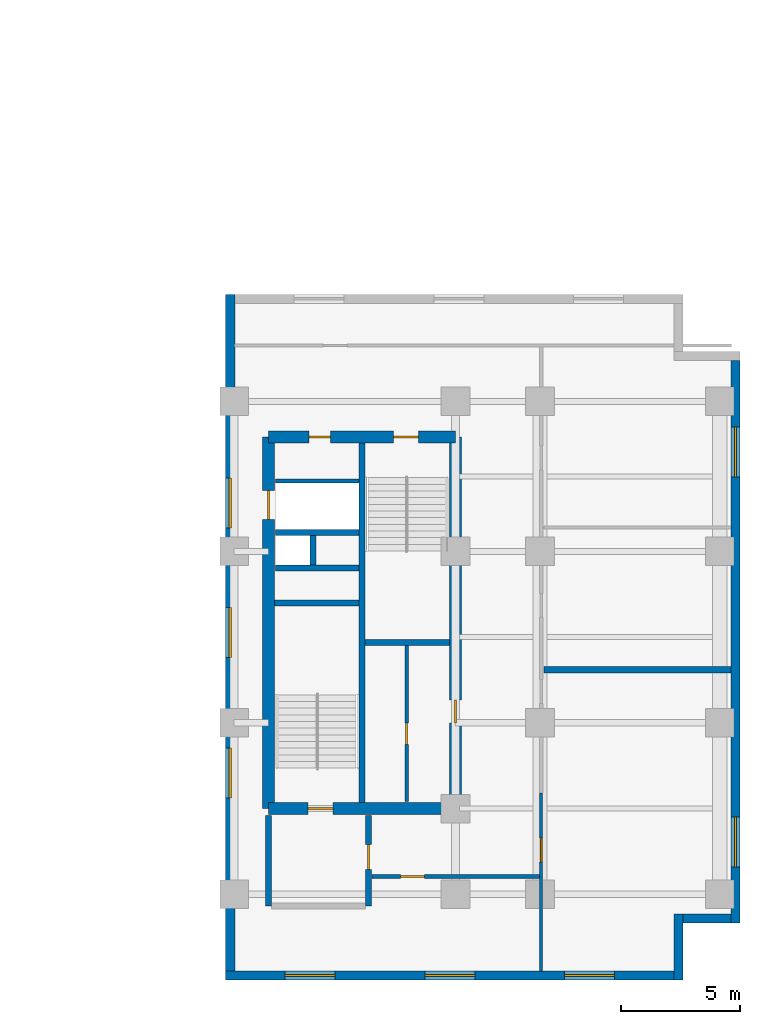
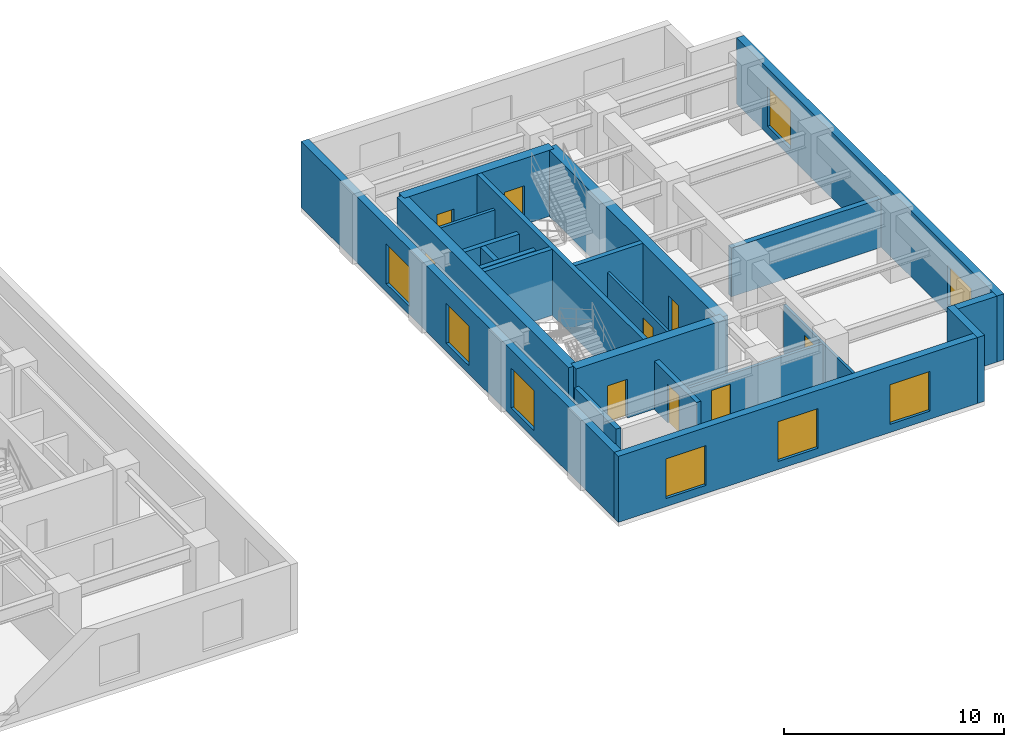
# One storey, part 4 of 9: 22 walls, 9 doors, 8 windows, 17 openings.
"""IFC4 building model written with IfcOpenShell, lengths in metres."""

from ifc_helpers import new_model, entity, si_unit, converted_unit, direction, frame, origin_with_axes, origin_2d_with_axis, place, context, subcontext, project, spatial, polyline, rectangle, outline, extrude, material, layer, layer_set, type_object, element, fill, save


model = new_model("IFC4")

# Units and contexts
model_context = context("Model", 3, precision=1e-05, world=origin_with_axes(), true_north=direction((0.0, 1.0)))
body_context = subcontext(model_context, "Body", "Model", "MODEL_VIEW")
ifc_project = project(units=[si_unit("LENGTHUNIT", "METRE"), si_unit("AREAUNIT", "SQUARE_METRE"), si_unit("VOLUMEUNIT", "CUBIC_METRE"), converted_unit("PLANEANGLEUNIT", "DEGREE", entity("IfcPlaneAngleMeasure", 0.017453292519943295), si_unit("PLANEANGLEUNIT", "RADIAN"), dimensions=[0, 0, 0, 0, 0, 0, 0]), si_unit("MASSUNIT", "GRAM", prefix="KILO"), si_unit("THERMODYNAMICTEMPERATUREUNIT", "KELVIN")], contexts=[model_context])

# Site, building, storey
site_placement = place(None, origin_with_axes())
site = spatial("IfcSite", under=ifc_project, at=site_placement, CompositionType="ELEMENT")
building_placement = place(site_placement, origin_with_axes())
building = spatial("IfcBuilding", under=site, at=building_placement, Name="Varnlund Millrace Tower", CompositionType="ELEMENT")
storey_placement = place(building_placement, frame((0.0, 0.0, 112.5), z_axis=(0.0, 0.0, 1.0), x_axis=(1.0, 0.0, 0.0)))
storey = spatial("IfcBuildingStorey", under=building, at=storey_placement, Name="L27", CompositionType="ELEMENT", Elevation=112.5)

# Wall, opening, door
ifc_material_1 = material(Name="Concrete C70/85", Category="concrete")
ifc_layer_1 = layer(ifc_material_1, 0.5, Name="Concrete C70/85")
ifc_layer_set_1 = layer_set([ifc_layer_1], Name="Concrete C70/85")
wall_type_1 = type_object("IfcWallType", Name="Type-CoreWall-Shear-500-C70", PredefinedType="SHEAR", material=ifc_layer_set_1)
wall_1_placement = place(storey_placement, frame((40.2, 7.2, 0.0), z_axis=(0.0, 0.0, 1.0), x_axis=(0.0, 1.0, 0.0)))
wall_1 = element("IfcWall", 1, at=wall_1_placement, inside=storey, type_object=wall_type_1, Name="Type-CoreWall-Shear-500-C70", PredefinedType="SHEAR", context=body_context, shape_type="SweptSolid", body=[
    extrude(outline(polyline([(0.0, -0.25), (15.6, -0.25), (15.6, 0.25), (0.0, 0.25), (0.0, -0.25)])), origin_with_axes(), (0.0, 0.0, 1.0), 3.66),
])
opening_1_placement = place(wall_1_placement, frame((12.75, 0.0, 0.0), z_axis=(0.0, 0.0, 1.0), x_axis=(1.0, 0.0, 0.0)))
opening_1 = element("IfcOpeningElement", 2, at=opening_1_placement, cuts=wall_1, Name="Opening L27:LD-SRV2", PredefinedType="OPENING", context=body_context, shape_type="SweptSolid", body=[
    extrude(rectangle(XDim=1.2, YDim=0.52, at=origin_2d_with_axis()), origin_with_axes(), (0.0, 0.0, 1.0), 2.15),
])
ifc_material_2 = material(Name="Heavy-duty freight sliding landing door")
door_type_1 = type_object("IfcDoorType", Name="Type-LiftLandingDoor-Service-1200X2150", OperationType="NOTDEFINED", PredefinedType="DOOR", material=ifc_material_2)
door_1_placement = place(wall_1_placement, frame((12.75, 0.0, 0.0), z_axis=(0.0, 0.0, 1.0), x_axis=(1.0, 0.0, 0.0)))
door_1 = element("IfcDoor", 3, at=door_1_placement, inside=storey, type_object=door_type_1, Name="Type-LiftLandingDoor-Service-1200X2150", OperationType="DOUBLE_DOOR_SLIDING", OverallHeight=2.15, OverallWidth=1.2, PredefinedType="DOOR", context=body_context, shape_type="SweptSolid", body=[
    extrude(rectangle(XDim=1.2, YDim=0.09, at=origin_2d_with_axis()), origin_with_axes(), (0.0, 0.0, 1.0), 2.15),
])
fill(opening_1, door_1)

wall_2_placement = place(storey_placement, frame((40.2, 7.2, 0.0), z_axis=(0.0, 0.0, 1.0), x_axis=(1.0, 0.0, 0.0)))
wall_2 = element("IfcWall", 4, at=wall_2_placement, inside=storey, type_object=wall_type_1, Name="Type-CoreWall-Shear-500-C70", PredefinedType="SHEAR", context=body_context, shape_type="SweptSolid", body=[
    extrude(outline(polyline([(0.0, -0.25), (7.85, -0.25), (7.85, 0.25), (0.0, 0.25), (0.0, -0.25)])), origin_with_axes(), (0.0, 0.0, 1.0), 3.66),
])
opening_2_placement = place(wall_2_placement, frame((2.175, 0.0, 0.0), z_axis=(0.0, 0.0, 1.0), x_axis=(1.0, 0.0, 0.0)))
opening_2 = element("IfcOpeningElement", 5, at=opening_2_placement, cuts=wall_2, Name="Opening L27:DR-STB1", PredefinedType="OPENING", context=body_context, shape_type="SweptSolid", body=[
    extrude(rectangle(XDim=1.05, YDim=0.52, at=origin_2d_with_axis()), origin_with_axes(), (0.0, 0.0, 1.0), 2.15),
])
ifc_material_3 = material(Name="Fire-rated hollow steel door", Category="steel")
door_type_2 = type_object("IfcDoorType", Name="Type-FireDoor-Stair-1050X2150", OperationType="NOTDEFINED", PredefinedType="DOOR", material=ifc_material_3)
door_2_placement = place(wall_2_placement, frame((2.175, 0.0, 0.0), z_axis=(0.0, 0.0, 1.0), x_axis=(1.0, 0.0, 0.0)))
door_2 = element("IfcDoor", 6, at=door_2_placement, inside=storey, type_object=door_type_2, Name="Type-FireDoor-Stair-1050X2150", OperationType="SINGLE_SWING_LEFT", OverallHeight=2.15, OverallWidth=1.05, PredefinedType="DOOR", context=body_context, shape_type="SweptSolid", body=[
    extrude(rectangle(XDim=1.05, YDim=0.09, at=origin_2d_with_axis()), origin_with_axes(), (0.0, 0.0, 1.0), 2.15),
])
fill(opening_2, door_2)

# Wall, openings, doors
wall_3_placement = place(storey_placement, frame((40.2, 22.8, 0.0), z_axis=(0.0, 0.0, 1.0), x_axis=(1.0, 0.0, 0.0)))
wall_3 = element("IfcWall", 7, at=wall_3_placement, inside=storey, type_object=wall_type_1, Name="Type-CoreWall-Shear-500-C70", PredefinedType="SHEAR", context=body_context, shape_type="SweptSolid", body=[
    extrude(outline(polyline([(0.0, -0.25), (7.85, -0.25), (7.85, 0.25), (0.0, 0.25), (0.0, -0.25)])), origin_with_axes(), (0.0, 0.0, 1.0), 3.66),
])
opening_3_placement = place(wall_3_placement, frame((5.775, 0.0, 0.0), z_axis=(0.0, 0.0, 1.0), x_axis=(1.0, 0.0, 0.0)))
opening_3 = element("IfcOpeningElement", 8, at=opening_3_placement, cuts=wall_3, Name="Opening L27:DR-STB2", PredefinedType="OPENING", context=body_context, shape_type="SweptSolid", body=[
    extrude(rectangle(XDim=1.05, YDim=0.52, at=origin_2d_with_axis()), origin_with_axes(), (0.0, 0.0, 1.0), 2.15),
])
opening_4_placement = place(wall_3_placement, frame((2.15, 0.0, 0.0), z_axis=(0.0, 0.0, 1.0), x_axis=(1.0, 0.0, 0.0)))
opening_4 = element("IfcOpeningElement", 9, at=opening_4_placement, cuts=wall_3, Name="Opening L27:DR-CB-NW", PredefinedType="OPENING", context=body_context, shape_type="SweptSolid", body=[
    extrude(rectangle(XDim=0.9, YDim=0.52, at=origin_2d_with_axis()), origin_with_axes(), (0.0, 0.0, 1.0), 2.15),
])
ifc_material_4 = material(Name="Fire-rated hollow steel service closet door", Category="steel")
door_type_3 = type_object("IfcDoorType", Name="Type-FireDoor-Closet-900X2150", OperationType="NOTDEFINED", PredefinedType="DOOR", material=ifc_material_4)
door_3_placement = place(wall_3_placement, frame((2.15, 0.0, 0.0), z_axis=(0.0, 0.0, 1.0), x_axis=(1.0, 0.0, 0.0)))
door_3 = element("IfcDoor", 10, at=door_3_placement, inside=storey, type_object=door_type_3, Name="Type-FireDoor-Closet-900X2150", OperationType="SINGLE_SWING_LEFT", OverallHeight=2.15, OverallWidth=0.9, PredefinedType="DOOR", context=body_context, shape_type="SweptSolid", body=[
    extrude(rectangle(XDim=0.9, YDim=0.09, at=origin_2d_with_axis()), origin_with_axes(), (0.0, 0.0, 1.0), 2.15),
])
fill(opening_4, door_3)
door_4_placement = place(wall_3_placement, frame((5.775, 0.0, 0.0), z_axis=(0.0, 0.0, 1.0), x_axis=(1.0, 0.0, 0.0)))
door_4 = element("IfcDoor", 11, at=door_4_placement, inside=storey, type_object=door_type_2, Name="Type-FireDoor-Stair-1050X2150", OperationType="SINGLE_SWING_RIGHT", OverallHeight=2.15, OverallWidth=1.05, PredefinedType="DOOR", context=body_context, shape_type="SweptSolid", body=[
    extrude(rectangle(XDim=1.05, YDim=0.09, at=origin_2d_with_axis()), origin_with_axes(), (0.0, 0.0, 1.0), 2.15),
])
fill(opening_3, door_4)

# Wall, opening, door
wall_4_placement = place(storey_placement, frame((48.05, 7.2, 0.0), z_axis=(0.0, 0.0, 1.0), x_axis=(0.0, 1.0, 0.0)))
wall_4 = element("IfcWall", 12, at=wall_4_placement, inside=storey, type_object=wall_type_1, Name="Type-CoreWall-Shear-500-C70", PredefinedType="SHEAR", context=body_context, shape_type="SweptSolid", body=[
    extrude(outline(polyline([(0.0, -0.25), (15.6, -0.25), (15.6, 0.25), (0.0, 0.25), (0.0, -0.25)])), origin_with_axes(), (0.0, 0.0, 1.0), 3.66),
])
opening_5_placement = place(wall_4_placement, frame((4.075, 0.0, 0.0), z_axis=(0.0, 0.0, 1.0), x_axis=(1.0, 0.0, 0.0)))
opening_5 = element("IfcOpeningElement", 13, at=opening_5_placement, cuts=wall_4, Name="Opening L27:DR-CB-WC2", PredefinedType="OPENING", context=body_context, shape_type="SweptSolid", body=[
    extrude(rectangle(XDim=0.95, YDim=0.52, at=origin_2d_with_axis()), origin_with_axes(), (0.0, 0.0, 1.0), 2.15),
])
ifc_material_5 = material(Name="Fire-rated hollow steel core service door", Category="steel")
door_type_4 = type_object("IfcDoorType", Name="Type-FireDoor-Service-950X2150", OperationType="NOTDEFINED", PredefinedType="DOOR", material=ifc_material_5)
door_5_placement = place(wall_4_placement, frame((4.075, 0.0, 0.0), z_axis=(0.0, 0.0, 1.0), x_axis=(1.0, 0.0, 0.0)))
door_5 = element("IfcDoor", 14, at=door_5_placement, inside=storey, type_object=door_type_4, Name="Type-FireDoor-Service-950X2150", OperationType="SINGLE_SWING_LEFT", OverallHeight=2.15, OverallWidth=0.95, PredefinedType="DOOR", context=body_context, shape_type="SweptSolid", body=[
    extrude(rectangle(XDim=0.95, YDim=0.09, at=origin_2d_with_axis()), origin_with_axes(), (0.0, 0.0, 1.0), 2.15),
])
fill(opening_5, door_5)

# Wall, openings, windows
ifc_material_6 = material(Name="Precast concrete C50/60", Category="concrete")
ifc_layer_2 = layer(ifc_material_6, 0.38, Name="Precast concrete C50/60")
ifc_layer_set_2 = layer_set([ifc_layer_2], Name="Precast concrete C50/60")
wall_type_2 = type_object("IfcWallType", Name="Type-ExtWall-Precast-Tube-380", PredefinedType="SOLIDWALL", material=ifc_layer_set_2)
wall_5_placement = place(storey_placement, frame((59.81, 26.02, 0.0), z_axis=(0.0, 0.0, 1.0), x_axis=(0.0, -1.0, 0.0)))
wall_5 = element("IfcWall", 15, at=wall_5_placement, inside=storey, type_object=wall_type_2, Name="Type-ExtWall-Precast-Tube-380", PredefinedType="SOLIDWALL", context=body_context, shape_type="SweptSolid", body=[
    extrude(outline(polyline([(0.0, -0.19), (23.62, -0.19), (23.62, 0.19), (0.0, 0.19), (0.0, -0.19)])), origin_with_axes(), (0.0, 0.0, 1.0), 3.66),
])
opening_6_placement = place(wall_5_placement, frame((3.853, 0.0, 0.45), z_axis=(0.0, 0.0, 1.0), x_axis=(1.0, 0.0, 0.0)))
opening_6 = element("IfcOpeningElement", 16, at=opening_6_placement, cuts=wall_5, Name="Opening L27:WN-17", PredefinedType="OPENING", context=body_context, shape_type="SweptSolid", body=[
    extrude(rectangle(XDim=2.1, YDim=0.4, at=origin_2d_with_axis()), origin_with_axes(), (0.0, 0.0, 1.0), 2.2),
])
opening_7_placement = place(wall_5_placement, frame((20.218, 0.0, 0.45), z_axis=(0.0, 0.0, 1.0), x_axis=(1.0, 0.0, 0.0)))
opening_7 = element("IfcOpeningElement", 17, at=opening_7_placement, cuts=wall_5, Name="Opening L27:WN-18", PredefinedType="OPENING", context=body_context, shape_type="SweptSolid", body=[
    extrude(rectangle(XDim=2.1, YDim=0.4, at=origin_2d_with_axis()), origin_with_axes(), (0.0, 0.0, 1.0), 2.2),
])
ifc_material_7 = material(Name="Argon low-e triple glazing in thermally broken bronze frame", Category="glass")
window_type = type_object("IfcWindowType", Name="Type-Window-Punched-2100X2200", PartitioningType="SINGLE_PANEL", PredefinedType="WINDOW", material=ifc_material_7)
window_1_placement = place(wall_5_placement, frame((3.853, 0.0, 0.45), z_axis=(0.0, 0.0, 1.0), x_axis=(1.0, 0.0, 0.0)))
window_1 = element("IfcWindow", 18, at=window_1_placement, inside=storey, type_object=window_type, Name="Type-Window-Punched-2100X2200", OverallHeight=2.2, OverallWidth=2.1, PredefinedType="WINDOW", context=body_context, shape_type="SweptSolid", body=[
    extrude(rectangle(XDim=2.1, YDim=0.09, at=origin_2d_with_axis()), origin_with_axes(), (0.0, 0.0, 1.0), 2.2),
])
fill(opening_6, window_1)
window_2_placement = place(wall_5_placement, frame((20.218, 0.0, 0.45), z_axis=(0.0, 0.0, 1.0), x_axis=(1.0, 0.0, 0.0)))
window_2 = element("IfcWindow", 19, at=window_2_placement, inside=storey, type_object=window_type, Name="Type-Window-Punched-2100X2200", OverallHeight=2.2, OverallWidth=2.1, PredefinedType="WINDOW", context=body_context, shape_type="SweptSolid", body=[
    extrude(rectangle(XDim=2.1, YDim=0.09, at=origin_2d_with_axis()), origin_with_axes(), (0.0, 0.0, 1.0), 2.2),
])
fill(opening_7, window_2)

# Walls
wall_6_placement = place(storey_placement, frame((59.62, 2.59, 0.0), z_axis=(0.0, 0.0, 1.0), x_axis=(-1.0, 0.0, 0.0)))
element("IfcWall", 20, at=wall_6_placement, inside=storey, type_object=wall_type_2, Name="Type-ExtWall-Precast-Tube-380", PredefinedType="SOLIDWALL", context=body_context, shape_type="SweptSolid", body=[
    extrude(outline(polyline([(0.0, -0.19), (2.02, -0.19), (2.02, 0.19), (0.0, 0.19), (0.0, -0.19)])), origin_with_axes(), (0.0, 0.0, 1.0), 3.66),
])
wall_7_placement = place(storey_placement, frame((57.41, 2.78, 0.0), z_axis=(0.0, 0.0, 1.0), x_axis=(0.0, -1.0, 0.0)))
element("IfcWall", 21, at=wall_7_placement, inside=storey, type_object=wall_type_2, Name="Type-ExtWall-Precast-Tube-380", PredefinedType="SOLIDWALL", context=body_context, shape_type="SweptSolid", body=[
    extrude(outline(polyline([(0.0, -0.19), (2.78, -0.19), (2.78, 0.19), (0.0, 0.19), (0.0, -0.19)])), origin_with_axes(), (0.0, 0.0, 1.0), 3.66),
])

# Wall, openings, windows
wall_8_placement = place(storey_placement, frame((57.22, 0.19, 0.0), z_axis=(0.0, 0.0, 1.0), x_axis=(-1.0, 0.0, 0.0)))
wall_8 = element("IfcWall", 22, at=wall_8_placement, inside=storey, type_object=wall_type_2, Name="Type-ExtWall-Precast-Tube-380", PredefinedType="SOLIDWALL", context=body_context, shape_type="SweptSolid", body=[
    extrude(outline(polyline([(0.0, -0.19), (18.82, -0.19), (18.82, 0.19), (0.0, 0.19), (0.0, -0.19)])), origin_with_axes(), (0.0, 0.0, 1.0), 3.66),
])
opening_8_placement = place(wall_8_placement, frame((3.537, 0.0, 0.45), z_axis=(0.0, 0.0, 1.0), x_axis=(1.0, 0.0, 0.0)))
opening_8 = element("IfcOpeningElement", 23, at=opening_8_placement, cuts=wall_8, Name="Opening L27:WN-19", PredefinedType="OPENING", context=body_context, shape_type="SweptSolid", body=[
    extrude(rectangle(XDim=2.1, YDim=0.4, at=origin_2d_with_axis()), origin_with_axes(), (0.0, 0.0, 1.0), 2.2),
])
opening_9_placement = place(wall_8_placement, frame((9.41, 0.0, 0.45), z_axis=(0.0, 0.0, 1.0), x_axis=(1.0, 0.0, 0.0)))
opening_9 = element("IfcOpeningElement", 24, at=opening_9_placement, cuts=wall_8, Name="Opening L27:WN-20", PredefinedType="OPENING", context=body_context, shape_type="SweptSolid", body=[
    extrude(rectangle(XDim=2.1, YDim=0.4, at=origin_2d_with_axis()), origin_with_axes(), (0.0, 0.0, 1.0), 2.2),
])
opening_10_placement = place(wall_8_placement, frame((15.283, 0.0, 0.45), z_axis=(0.0, 0.0, 1.0), x_axis=(1.0, 0.0, 0.0)))
opening_10 = element("IfcOpeningElement", 25, at=opening_10_placement, cuts=wall_8, Name="Opening L27:WN-21", PredefinedType="OPENING", context=body_context, shape_type="SweptSolid", body=[
    extrude(rectangle(XDim=2.1, YDim=0.4, at=origin_2d_with_axis()), origin_with_axes(), (0.0, 0.0, 1.0), 2.2),
])
window_3_placement = place(wall_8_placement, frame((3.537, 0.0, 0.45), z_axis=(0.0, 0.0, 1.0), x_axis=(1.0, 0.0, 0.0)))
window_3 = element("IfcWindow", 26, at=window_3_placement, inside=storey, type_object=window_type, Name="Type-Window-Punched-2100X2200", OverallHeight=2.2, OverallWidth=2.1, PredefinedType="WINDOW", context=body_context, shape_type="SweptSolid", body=[
    extrude(rectangle(XDim=2.1, YDim=0.09, at=origin_2d_with_axis()), origin_with_axes(), (0.0, 0.0, 1.0), 2.2),
])
fill(opening_8, window_3)
window_4_placement = place(wall_8_placement, frame((9.41, 0.0, 0.45), z_axis=(0.0, 0.0, 1.0), x_axis=(1.0, 0.0, 0.0)))
window_4 = element("IfcWindow", 27, at=window_4_placement, inside=storey, type_object=window_type, Name="Type-Window-Punched-2100X2200", OverallHeight=2.2, OverallWidth=2.1, PredefinedType="WINDOW", context=body_context, shape_type="SweptSolid", body=[
    extrude(rectangle(XDim=2.1, YDim=0.09, at=origin_2d_with_axis()), origin_with_axes(), (0.0, 0.0, 1.0), 2.2),
])
fill(opening_9, window_4)
window_5_placement = place(wall_8_placement, frame((15.283, 0.0, 0.45), z_axis=(0.0, 0.0, 1.0), x_axis=(1.0, 0.0, 0.0)))
window_5 = element("IfcWindow", 28, at=window_5_placement, inside=storey, type_object=window_type, Name="Type-Window-Punched-2100X2200", OverallHeight=2.2, OverallWidth=2.1, PredefinedType="WINDOW", context=body_context, shape_type="SweptSolid", body=[
    extrude(rectangle(XDim=2.1, YDim=0.09, at=origin_2d_with_axis()), origin_with_axes(), (0.0, 0.0, 1.0), 2.2),
])
fill(opening_10, window_5)

wall_9_placement = place(storey_placement, frame((38.59, 0.38, 0.0), z_axis=(0.0, 0.0, 1.0), x_axis=(0.0, 1.0, 0.0)))
wall_9 = element("IfcWall", 29, at=wall_9_placement, inside=storey, type_object=wall_type_2, Name="Type-ExtWall-Precast-Tube-380", PredefinedType="SOLIDWALL", context=body_context, shape_type="SweptSolid", body=[
    extrude(outline(polyline([(0.0, -0.19), (28.42, -0.19), (28.42, 0.19), (0.0, 0.19), (0.0, -0.19)])), origin_with_axes(), (0.0, 0.0, 1.0), 3.66),
])
opening_11_placement = place(wall_9_placement, frame((8.316, 0.0, 0.45), z_axis=(0.0, 0.0, 1.0), x_axis=(1.0, 0.0, 0.0)))
opening_11 = element("IfcOpeningElement", 30, at=opening_11_placement, cuts=wall_9, Name="Opening L27:WN-22", PredefinedType="OPENING", context=body_context, shape_type="SweptSolid", body=[
    extrude(rectangle(XDim=2.1, YDim=0.4, at=origin_2d_with_axis()), origin_with_axes(), (0.0, 0.0, 1.0), 2.2),
])
opening_12_placement = place(wall_9_placement, frame((14.21, 0.0, 0.45), z_axis=(0.0, 0.0, 1.0), x_axis=(1.0, 0.0, 0.0)))
opening_12 = element("IfcOpeningElement", 31, at=opening_12_placement, cuts=wall_9, Name="Opening L27:WN-23", PredefinedType="OPENING", context=body_context, shape_type="SweptSolid", body=[
    extrude(rectangle(XDim=2.1, YDim=0.4, at=origin_2d_with_axis()), origin_with_axes(), (0.0, 0.0, 1.0), 2.2),
])
opening_13_placement = place(wall_9_placement, frame((19.654, 0.0, 0.45), z_axis=(0.0, 0.0, 1.0), x_axis=(1.0, 0.0, 0.0)))
opening_13 = element("IfcOpeningElement", 32, at=opening_13_placement, cuts=wall_9, Name="Opening L27:WN-24", PredefinedType="OPENING", context=body_context, shape_type="SweptSolid", body=[
    extrude(rectangle(XDim=2.1, YDim=0.4, at=origin_2d_with_axis()), origin_with_axes(), (0.0, 0.0, 1.0), 2.2),
])
window_6_placement = place(wall_9_placement, frame((8.316, 0.0, 0.45), z_axis=(0.0, 0.0, 1.0), x_axis=(1.0, 0.0, 0.0)))
window_6 = element("IfcWindow", 33, at=window_6_placement, inside=storey, type_object=window_type, Name="Type-Window-Punched-2100X2200", OverallHeight=2.2, OverallWidth=2.1, PredefinedType="WINDOW", context=body_context, shape_type="SweptSolid", body=[
    extrude(rectangle(XDim=2.1, YDim=0.09, at=origin_2d_with_axis()), origin_with_axes(), (0.0, 0.0, 1.0), 2.2),
])
fill(opening_11, window_6)
window_7_placement = place(wall_9_placement, frame((14.21, 0.0, 0.45), z_axis=(0.0, 0.0, 1.0), x_axis=(1.0, 0.0, 0.0)))
window_7 = element("IfcWindow", 34, at=window_7_placement, inside=storey, type_object=window_type, Name="Type-Window-Punched-2100X2200", OverallHeight=2.2, OverallWidth=2.1, PredefinedType="WINDOW", context=body_context, shape_type="SweptSolid", body=[
    extrude(rectangle(XDim=2.1, YDim=0.09, at=origin_2d_with_axis()), origin_with_axes(), (0.0, 0.0, 1.0), 2.2),
])
fill(opening_12, window_7)
window_8_placement = place(wall_9_placement, frame((19.654, 0.0, 0.45), z_axis=(0.0, 0.0, 1.0), x_axis=(1.0, 0.0, 0.0)))
window_8 = element("IfcWindow", 35, at=window_8_placement, inside=storey, type_object=window_type, Name="Type-Window-Punched-2100X2200", OverallHeight=2.2, OverallWidth=2.1, PredefinedType="WINDOW", context=body_context, shape_type="SweptSolid", body=[
    extrude(rectangle(XDim=2.1, YDim=0.09, at=origin_2d_with_axis()), origin_with_axes(), (0.0, 0.0, 1.0), 2.2),
])
fill(opening_13, window_8)

# Walls
ifc_material_8 = material(Name="Double-stud STC-60 conference acoustic partition", Category="gypsum")
ifc_layer_3 = layer(ifc_material_8, 0.28, Name="Double-stud STC-60 conference acoustic partition")
ifc_layer_set_3 = layer_set([ifc_layer_3], Name="Double-stud STC-60 conference acoustic partition")
wall_type_3 = type_object("IfcWallType", Name="Type-Partition-Acoustic-280", PredefinedType="PARTITIONING", material=ifc_layer_set_3)
wall_10_placement = place(storey_placement, frame((51.77, 13.029, 0.0), z_axis=(0.0, 0.0, 1.0), x_axis=(1.0, 0.0, 0.0)))
element("IfcWall", 36, at=wall_10_placement, inside=storey, type_object=wall_type_3, Name="Type-Partition-Acoustic-280", PredefinedType="PARTITIONING", context=body_context, shape_type="SweptSolid", body=[
    extrude(outline(polyline([(0.0, -0.14), (7.855, -0.14), (7.855, 0.14), (0.0, 0.14), (0.0, -0.14)])), origin_with_axes(), (0.0, 0.0, 1.0), 2.7),
])
ifc_material_9 = material(Name="Fire-rated gypsum board on cold-formed steel framing", Category="steel")
ifc_layer_4 = layer(ifc_material_9, 0.16, Name="Fire-rated gypsum board on cold-formed steel framing")
ifc_layer_set_4 = layer_set([ifc_layer_4], Name="Fire-rated gypsum board on cold-formed steel framing")
wall_type_4 = type_object("IfcWallType", Name="Type-Partition-Corridor-160", PredefinedType="PARTITIONING", material=ifc_layer_set_4)
wall_11_placement = place(storey_placement, frame((40.5, 20.96, 0.0), z_axis=(0.0, 0.0, 1.0), x_axis=(1.0, 0.0, 0.0)))
element("IfcWall", 37, at=wall_11_placement, inside=storey, type_object=wall_type_4, Name="Type-Partition-Corridor-160", PredefinedType="PARTITIONING", context=body_context, shape_type="SweptSolid", body=[
    extrude(outline(polyline([(0.0, -0.08), (3.5, -0.08), (3.5, 0.08), (0.0, 0.08), (0.0, -0.08)])), origin_with_axes(), (0.0, 0.0, 1.0), 2.7),
])

# Wall, opening, door
wall_12_placement = place(storey_placement, frame((44.55, 4.35, 0.0), z_axis=(0.0, 0.0, 1.0), x_axis=(1.0, 0.0, 0.0)))
wall_12 = element("IfcWall", 38, at=wall_12_placement, inside=storey, type_object=wall_type_4, Name="Type-Partition-Corridor-160", PredefinedType="PARTITIONING", context=body_context, shape_type="SweptSolid", body=[
    extrude(outline(polyline([(0.0, -0.08), (7.1, -0.08), (7.1, 0.08), (0.0, 0.08), (0.0, -0.08)])), origin_with_axes(), (0.0, 0.0, 1.0), 2.7),
])
opening_14_placement = place(wall_12_placement, frame((1.7, 0.0, 0.0), z_axis=(0.0, 0.0, 1.0), x_axis=(1.0, 0.0, 0.0)))
opening_14 = element("IfcOpeningElement", 39, at=opening_14_placement, cuts=wall_12, Name="Opening L27:DR-WBS-01", PredefinedType="OPENING", context=body_context, shape_type="SweptSolid", body=[
    extrude(rectangle(XDim=1.0, YDim=0.18, at=origin_2d_with_axis()), origin_with_axes(), (0.0, 0.0, 1.0), 2.15),
])
ifc_material_10 = material(Name="Solid-core white oak and bronze frame door")
door_type_5 = type_object("IfcDoorType", Name="Type-IntDoor-Office-1000X2150", OperationType="NOTDEFINED", PredefinedType="DOOR", material=ifc_material_10)
door_6_placement = place(wall_12_placement, frame((1.7, 0.0, 0.0), z_axis=(0.0, 0.0, 1.0), x_axis=(1.0, 0.0, 0.0)))
door_6 = element("IfcDoor", 40, at=door_6_placement, inside=storey, type_object=door_type_5, Name="Type-IntDoor-Office-1000X2150", OperationType="SINGLE_SWING_LEFT", OverallHeight=2.15, OverallWidth=1.0, PredefinedType="DOOR", context=body_context, shape_type="SweptSolid", body=[
    extrude(rectangle(XDim=1.0, YDim=0.09, at=origin_2d_with_axis()), origin_with_axes(), (0.0, 0.0, 1.0), 2.15),
])
fill(opening_14, door_6)

ifc_material_11 = material(Name="Gypsum board tenant partition", Category="gypsum")
ifc_layer_5 = layer(ifc_material_11, 0.125, Name="Gypsum board tenant partition")
ifc_layer_set_5 = layer_set([ifc_layer_5], Name="Gypsum board tenant partition")
wall_type_5 = type_object("IfcWallType", Name="Type-Partition-Tenant-125", PredefinedType="PARTITIONING", material=ifc_layer_set_5)
wall_13_placement = place(storey_placement, frame((51.65, 0.36, 0.0), z_axis=(0.0, 0.0, 1.0), x_axis=(0.0, 1.0, 0.0)))
wall_13 = element("IfcWall", 41, at=wall_13_placement, inside=storey, type_object=wall_type_5, Name="Type-Partition-Tenant-125", PredefinedType="PARTITIONING", context=body_context, shape_type="SweptSolid", body=[
    extrude(outline(polyline([(0.0, -0.0625), (7.49, -0.0625), (7.49, 0.0625), (0.0, 0.0625), (0.0, -0.0625)])), origin_with_axes(), (0.0, 0.0, 1.0), 2.7),
])
opening_15_placement = place(wall_13_placement, frame((5.1, 0.0, 0.0), z_axis=(0.0, 0.0, 1.0), x_axis=(1.0, 0.0, 0.0)))
opening_15 = element("IfcOpeningElement", 42, at=opening_15_placement, cuts=wall_13, Name="Opening L27:DR-WBS-02", PredefinedType="OPENING", context=body_context, shape_type="SweptSolid", body=[
    extrude(rectangle(XDim=1.0, YDim=0.145, at=origin_2d_with_axis()), origin_with_axes(), (0.0, 0.0, 1.0), 2.15),
])
door_7_placement = place(wall_13_placement, frame((5.1, 0.0, 0.0), z_axis=(0.0, 0.0, 1.0), x_axis=(1.0, 0.0, 0.0)))
door_7 = element("IfcDoor", 43, at=door_7_placement, inside=storey, type_object=door_type_5, Name="Type-IntDoor-Office-1000X2150", OperationType="SINGLE_SWING_LEFT", OverallHeight=2.15, OverallWidth=1.0, PredefinedType="DOOR", context=body_context, shape_type="SweptSolid", body=[
    extrude(rectangle(XDim=1.0, YDim=0.075, at=origin_2d_with_axis()), origin_with_axes(), (0.0, 0.0, 1.0), 2.15),
])
fill(opening_15, door_7)

ifc_material_12 = material(Name="Moisture-resistant gypsum restroom partition", Category="gypsum")
ifc_layer_6 = layer(ifc_material_12, 0.14, Name="Moisture-resistant gypsum restroom partition")
ifc_layer_set_6 = layer_set([ifc_layer_6], Name="Moisture-resistant gypsum restroom partition")
wall_type_6 = type_object("IfcWallType", Name="Type-Partition-Wet-140", PredefinedType="PARTITIONING", material=ifc_layer_set_6)
wall_14_placement = place(storey_placement, frame((46.0, 7.5, 0.0), z_axis=(0.0, 0.0, 1.0), x_axis=(0.0, 1.0, 0.0)))
wall_14 = element("IfcWall", 44, at=wall_14_placement, inside=storey, type_object=wall_type_6, Name="Type-Partition-Wet-140", PredefinedType="PARTITIONING", context=body_context, shape_type="SweptSolid", body=[
    extrude(outline(polyline([(0.0, -0.07), (6.56, -0.07), (6.56, 0.07), (0.0, 0.07), (0.0, -0.07)])), origin_with_axes(), (0.0, 0.0, 1.0), 2.7),
])
opening_16_placement = place(wall_14_placement, frame((2.85, 0.0, 0.0), z_axis=(0.0, 0.0, 1.0), x_axis=(1.0, 0.0, 0.0)))
opening_16 = element("IfcOpeningElement", 45, at=opening_16_placement, cuts=wall_14, Name="Opening L27:DR-CB-WC1", PredefinedType="OPENING", context=body_context, shape_type="SweptSolid", body=[
    extrude(rectangle(XDim=0.9, YDim=0.16, at=origin_2d_with_axis()), origin_with_axes(), (0.0, 0.0, 1.0), 2.15),
])
ifc_material_13 = material(Name="Painted steel riser and closet door", Category="steel")
door_type_6 = type_object("IfcDoorType", Name="Type-IntDoor-Closet-900X2150", OperationType="NOTDEFINED", PredefinedType="DOOR", material=ifc_material_13)
door_8_placement = place(wall_14_placement, frame((2.85, 0.0, 0.0), z_axis=(0.0, 0.0, 1.0), x_axis=(1.0, 0.0, 0.0)))
door_8 = element("IfcDoor", 46, at=door_8_placement, inside=storey, type_object=door_type_6, Name="Type-IntDoor-Closet-900X2150", OperationType="SINGLE_SWING_LEFT", OverallHeight=2.15, OverallWidth=0.9, PredefinedType="DOOR", context=body_context, shape_type="SweptSolid", body=[
    extrude(rectangle(XDim=0.9, YDim=0.084, at=origin_2d_with_axis()), origin_with_axes(), (0.0, 0.0, 1.0), 2.15),
])
fill(opening_16, door_8)

# Walls
ifc_material_14 = material(Name="Concrete C60/75", Category="concrete")
ifc_layer_7 = layer(ifc_material_14, 0.25, Name="Concrete C60/75")
ifc_layer_set_7 = layer_set([ifc_layer_7], Name="Concrete C60/75")
wall_type_7 = type_object("IfcWallType", Name="Type-ShaftWall-Fire-250", PredefinedType="SOLIDWALL", material=ifc_layer_set_7)
for number, where, z_axis, x_axis, name in (
    (47, (40.5, 17.3, 0.0), (0.0, 0.0, 1.0), (1.0, 0.0, 0.0), "Type-ShaftWall-Fire-250"),
    (48, (40.5, 18.8, 0.0), (0.0, 0.0, 1.0), (1.0, 0.0, 0.0), "Type-ShaftWall-Fire-250"),
):
    element("IfcWall", number, at=place(storey_placement, frame(where, z_axis=z_axis, x_axis=x_axis)), inside=storey, type_object=wall_type_7, Name=name, PredefinedType="SOLIDWALL", context=body_context, shape_type="SweptSolid", body=[
        extrude(outline(polyline([(0.0, -0.125), (3.5, -0.125), (3.5, 0.125), (0.0, 0.125), (0.0, -0.125)])), origin_with_axes(), (0.0, 0.0, 1.0), 2.7),
    ])
wall_15_placement = place(storey_placement, frame((42.075, 17.43, 0.0), z_axis=(0.0, 0.0, 1.0), x_axis=(0.0, 1.0, 0.0)))
element("IfcWall", 49, at=wall_15_placement, inside=storey, type_object=wall_type_7, Name="Type-ShaftWall-Fire-250", PredefinedType="SOLIDWALL", context=body_context, shape_type="SweptSolid", body=[
    extrude(outline(polyline([(0.0, -0.125), (1.24, -0.125), (1.24, 0.125), (0.0, 0.125), (0.0, -0.125)])), origin_with_axes(), (0.0, 0.0, 1.0), 2.7),
])
wall_16_placement = place(storey_placement, frame((40.2, 3.1, 0.0), z_axis=(0.0, 0.0, 1.0), x_axis=(0.0, 1.0, 0.0)))
element("IfcWall", 50, at=wall_16_placement, inside=storey, type_object=wall_type_7, Name="Type-ShaftWall-Fire-250", PredefinedType="SOLIDWALL", context=body_context, shape_type="SweptSolid", body=[
    extrude(outline(polyline([(0.0, -0.125), (3.8, -0.125), (3.8, 0.125), (0.0, 0.125), (0.0, -0.125)])), origin_with_axes(), (0.0, 0.0, 1.0), 2.7),
])

# Wall, opening, door
wall_17_placement = place(storey_placement, frame((44.4, 3.1, 0.0), z_axis=(0.0, 0.0, 1.0), x_axis=(0.0, 1.0, 0.0)))
wall_17 = element("IfcWall", 51, at=wall_17_placement, inside=storey, type_object=wall_type_7, Name="Type-ShaftWall-Fire-250", PredefinedType="SOLIDWALL", context=body_context, shape_type="SweptSolid", body=[
    extrude(outline(polyline([(0.0, -0.125), (3.8, -0.125), (3.8, 0.125), (0.0, 0.125), (0.0, -0.125)])), origin_with_axes(), (0.0, 0.0, 1.0), 2.7),
])
opening_17_placement = place(wall_17_placement, frame((2.075, 0.0, 0.0), z_axis=(0.0, 0.0, 1.0), x_axis=(1.0, 0.0, 0.0)))
opening_17 = element("IfcOpeningElement", 52, at=opening_17_placement, cuts=wall_17, Name="Opening L27:DR-FFLOB-B", PredefinedType="OPENING", context=body_context, shape_type="SweptSolid", body=[
    extrude(rectangle(XDim=1.05, YDim=0.27, at=origin_2d_with_axis()), origin_with_axes(), (0.0, 0.0, 1.0), 2.15),
])
ifc_material_15 = material(Name="Smoke-barrier hollow steel fire door", Category="steel")
door_type_7 = type_object("IfcDoorType", Name="Type-FireDoor-Lobby-1050X2150", OperationType="NOTDEFINED", PredefinedType="DOOR", material=ifc_material_15)
door_9_placement = place(wall_17_placement, frame((2.075, 0.0, 0.0), z_axis=(0.0, 0.0, 1.0), x_axis=(1.0, 0.0, 0.0)))
door_9 = element("IfcDoor", 53, at=door_9_placement, inside=storey, type_object=door_type_7, Name="Type-FireDoor-Lobby-1050X2150", OperationType="SINGLE_SWING_LEFT", OverallHeight=2.15, OverallWidth=1.05, PredefinedType="DOOR", context=body_context, shape_type="SweptSolid", body=[
    extrude(rectangle(XDim=1.05, YDim=0.09, at=origin_2d_with_axis()), origin_with_axes(), (0.0, 0.0, 1.0), 2.15),
])
fill(opening_17, door_9)

# Walls
wall_type_8 = type_object("IfcWallType", Name="Type-StairWall-Shear-250", PredefinedType="SHEAR", material=ifc_layer_set_7)
wall_18_placement = place(storey_placement, frame((44.125, 7.45, 0.0), z_axis=(0.0, 0.0, 1.0), x_axis=(0.0, 1.0, 0.0)))
element("IfcWall", 54, at=wall_18_placement, inside=storey, type_object=wall_type_8, Name="Type-StairWall-Shear-250", PredefinedType="SHEAR", context=body_context, shape_type="SweptSolid", body=[
    extrude(outline(polyline([(0.0, -0.125), (15.1, -0.125), (15.1, 0.125), (0.0, 0.125), (0.0, -0.125)])), origin_with_axes(), (0.0, 0.0, 1.0), 3.66),
])
for number, where, z_axis, x_axis, name in (
    (55, (40.45, 15.825, 0.0), (0.0, 0.0, 1.0), (1.0, 0.0, 0.0), "Type-StairWall-Shear-250"),
    (56, (44.25, 14.175, 0.0), (0.0, 0.0, 1.0), (1.0, 0.0, 0.0), "Type-StairWall-Shear-250"),
):
    element("IfcWall", number, at=place(storey_placement, frame(where, z_axis=z_axis, x_axis=x_axis)), inside=storey, type_object=wall_type_8, Name=name, PredefinedType="SHEAR", context=body_context, shape_type="SweptSolid", body=[
        extrude(outline(polyline([(0.0, -0.125), (3.55, -0.125), (3.55, 0.125), (0.0, 0.125), (0.0, -0.125)])), origin_with_axes(), (0.0, 0.0, 1.0), 3.66),
    ])

save(model, "model.ifc")
